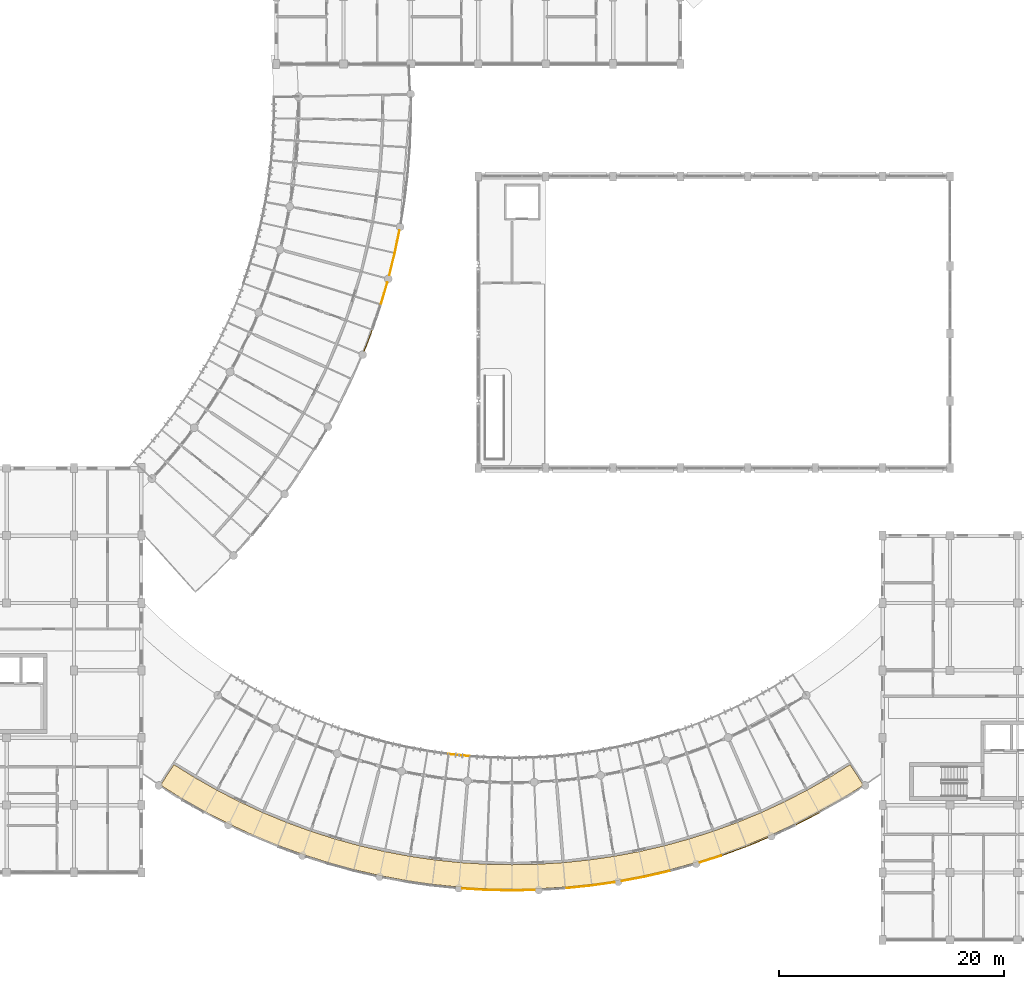
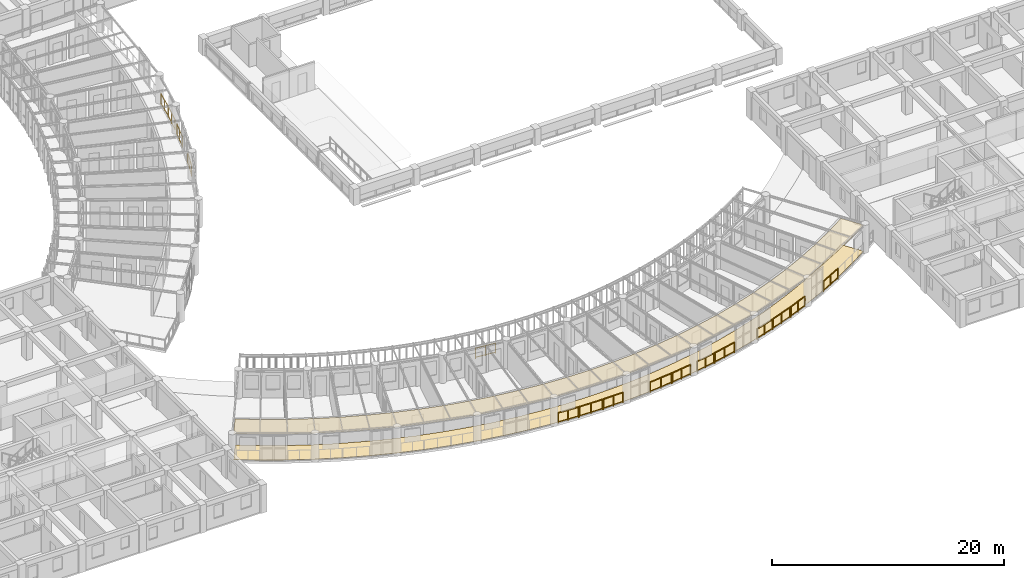
# One storey, part 125 of 137: 16 railings, 2 coverings.
"""IFC4 building model written with IfcOpenShell, lengths in metres."""

from ifc_helpers import new_model, si_unit, direction, frame, origin, origin_2d, place, context, subcontext, project, spatial, polyline, circle, outline, extrude, material, layer, layer_set, type_object, element, save


model = new_model("IFC4")

# Units and contexts
model_context = context("Model", 3, precision=1e-05, world=origin(), true_north=direction((0.0, 1.0)))
body_context = subcontext(model_context, "Body", "Model", "MODEL_VIEW")
ifc_project = project(units=[si_unit("LENGTHUNIT", "METRE"), si_unit("AREAUNIT", "SQUARE_METRE"), si_unit("VOLUMEUNIT", "CUBIC_METRE"), si_unit("PLANEANGLEUNIT", "RADIAN"), si_unit("MASSUNIT", "GRAM", prefix="KILO"), si_unit("POWERUNIT", "WATT"), si_unit("THERMODYNAMICTEMPERATUREUNIT", "KELVIN")], contexts=[model_context])

# Site, building, storey
site_placement = place(None, origin())
site = spatial("IfcSite", under=ifc_project, at=site_placement, CompositionType="ELEMENT")
building_placement = place(site_placement, origin())
building = spatial("IfcBuilding", under=site, at=building_placement, Name="Ruvembo Vaulted Housing Court", CompositionType="ELEMENT")
storey_placement = place(building_placement, frame((0.0, 0.0, 4.5)))
storey = spatial("IfcBuildingStorey", under=building, at=storey_placement, Name="L01", CompositionType="ELEMENT", Elevation=4.5)

# Coverings
ifc_material_1 = material(Name="Perforated Mineral-Fibre Acoustic Tile", Category="gypsum")
ifc_layer_1 = layer(ifc_material_1, 0.02001953125, Name="Perforated Mineral-Fibre Acoustic Tile")
ifc_layer_set_1 = layer_set([ifc_layer_1], Name="Perforated Mineral-Fibre Acoustic Tile")
covering_type_1 = type_object("IfcCoveringType", Name="COV-CEIL-ACOUST", PredefinedType="CEILING", material=ifc_layer_set_1)
covering_1_placement = place(storey_placement, frame((0.0, 0.0, 2.75)))
element("IfcCovering", 1, at=covering_1_placement, inside=storey, type_object=covering_type_1, Name="Scoop SC2 L01 Shaded Access Gallery Ceiling", PredefinedType="CEILING", context=body_context, shape_type="SweptSolid", body=[
    extrude(outline(polyline([(40.7412109375, 14.453857421875), (40.7373046875, 14.456298828125), (38.895751953125, 15.602783203125), (37.705810546875, 13.7763671875), (39.62548828125, 12.5810546875), (41.6884765625, 11.41162109375), (43.798095703125, 10.328369140625), (45.950439453125, 9.3330078125), (48.14208984375, 8.427001953125), (50.369384765625, 7.612548828125), (52.628173828125, 6.890380859375), (54.9150390625, 6.26220703125), (57.2255859375, 5.728759765625), (59.556396484375, 5.291015625), (61.9033203125, 4.94970703125), (64.26220703125, 4.70556640625), (66.62890625, 4.558837890625), (69.0, 4.510009765625), (71.37109375, 4.558837890625), (73.73779296875, 4.70556640625), (76.0966796875, 4.94970703125), (78.443603515625, 5.291015625), (80.7744140625, 5.728759765625), (83.0849609375, 6.26220703125), (85.371826171875, 6.890380859375), (87.630615234375, 7.612548828125), (89.85791015625, 8.427001953125), (92.049560546875, 9.3330078125), (94.201904296875, 10.328369140625), (96.3115234375, 11.41162109375), (98.37451171875, 12.5810546875), (100.294189453125, 13.7763671875), (99.104248046875, 15.602783203125), (97.2626953125, 14.456298828125), (97.2587890625, 14.453857421875), (95.27783203125, 13.3310546875), (95.27392578125, 13.328857421875), (93.248291015625, 12.288818359375), (93.244384765625, 12.286865234375), (91.177490234375, 11.3310546875), (91.17333984375, 11.3291015625), (89.069091796875, 10.45947265625), (89.064697265625, 10.457763671875), (86.92626953125, 9.675537109375), (86.922119140625, 9.674072265625), (84.753173828125, 8.980712890625), (84.748779296875, 8.9794921875), (82.552978515625, 8.376220703125), (82.548583984375, 8.375244140625), (80.330078125, 7.86279296875), (80.32568359375, 7.862060546875), (78.087646484375, 7.441650390625), (78.083251953125, 7.44091796875), (75.829833984375, 7.11328125), (75.825439453125, 7.11279296875), (73.560546875, 6.87841796875), (73.555908203125, 6.8779296875), (71.283203125, 6.737060546875), (71.27880859375, 6.73681640625), (69.002197265625, 6.68994140625), (68.997802734375, 6.68994140625), (66.72119140625, 6.73681640625), (66.716796875, 6.737060546875), (64.444091796875, 6.8779296875), (64.439453125, 6.87841796875), (62.174560546875, 7.11279296875), (62.170166015625, 7.11328125), (59.916748046875, 7.44091796875), (59.912109375, 7.441650390625), (57.67431640625, 7.862060546875), (57.669921875, 7.86279296875), (55.451416015625, 8.375244140625), (55.447021484375, 8.376220703125), (53.251220703125, 8.9794921875), (53.246826171875, 8.980712890625), (51.077880859375, 9.674072265625), (51.07373046875, 9.675537109375), (48.935302734375, 10.457763671875), (48.930908203125, 10.45947265625), (46.82666015625, 11.3291015625), (46.822509765625, 11.3310546875), (44.755615234375, 12.286865234375), (44.751708984375, 12.288818359375), (42.72607421875, 13.328857421875), (42.72216796875, 13.3310546875), (40.7412109375, 14.453857421875)])), origin(), (0.0, 0.0, 1.0), 0.02001953125),
])
ifc_material_2 = material(Name="Polished Cement-Aggregate Terrazzo", Category="stone")
ifc_layer_2 = layer(ifc_material_2, 0.02197265625, Name="Polished Cement-Aggregate Terrazzo")
ifc_layer_set_2 = layer_set([ifc_layer_2], Name="Polished Cement-Aggregate Terrazzo")
covering_type_2 = type_object("IfcCoveringType", Name="COV-FLR-CERAMIC", PredefinedType="FLOORING", material=ifc_layer_set_2)
covering_2_placement = place(storey_placement, origin())
element("IfcCovering", 2, at=covering_2_placement, inside=storey, type_object=covering_type_2, Name="Scoop SC2 L01 Shaded Access Gallery Flooring", PredefinedType="FLOORING", context=body_context, shape_type="SweptSolid", body=[
    extrude(outline(polyline([(40.7412109375, 14.453857421875), (40.7373046875, 14.456298828125), (38.895751953125, 15.602783203125), (37.705810546875, 13.7763671875), (39.62548828125, 12.5810546875), (41.6884765625, 11.41162109375), (43.798095703125, 10.328369140625), (45.950439453125, 9.3330078125), (48.14208984375, 8.427001953125), (50.369384765625, 7.612548828125), (52.628173828125, 6.890380859375), (54.9150390625, 6.26220703125), (57.2255859375, 5.728759765625), (59.556396484375, 5.291015625), (61.9033203125, 4.94970703125), (64.26220703125, 4.70556640625), (66.62890625, 4.558837890625), (69.0, 4.510009765625), (71.37109375, 4.558837890625), (73.73779296875, 4.70556640625), (76.0966796875, 4.94970703125), (78.443603515625, 5.291015625), (80.7744140625, 5.728759765625), (83.0849609375, 6.26220703125), (85.371826171875, 6.890380859375), (87.630615234375, 7.612548828125), (89.85791015625, 8.427001953125), (92.049560546875, 9.3330078125), (94.201904296875, 10.328369140625), (96.3115234375, 11.41162109375), (98.37451171875, 12.5810546875), (100.294189453125, 13.7763671875), (99.104248046875, 15.602783203125), (97.2626953125, 14.456298828125), (97.2587890625, 14.453857421875), (95.27783203125, 13.3310546875), (95.27392578125, 13.328857421875), (93.248291015625, 12.288818359375), (93.244384765625, 12.286865234375), (91.177490234375, 11.3310546875), (91.17333984375, 11.3291015625), (89.069091796875, 10.45947265625), (89.064697265625, 10.457763671875), (86.92626953125, 9.675537109375), (86.922119140625, 9.674072265625), (84.753173828125, 8.980712890625), (84.748779296875, 8.9794921875), (82.552978515625, 8.376220703125), (82.548583984375, 8.375244140625), (80.330078125, 7.86279296875), (80.32568359375, 7.862060546875), (78.087646484375, 7.441650390625), (78.083251953125, 7.44091796875), (75.829833984375, 7.11328125), (75.825439453125, 7.11279296875), (73.560546875, 6.87841796875), (73.555908203125, 6.8779296875), (71.283203125, 6.737060546875), (71.27880859375, 6.73681640625), (69.002197265625, 6.68994140625), (68.997802734375, 6.68994140625), (66.72119140625, 6.73681640625), (66.716796875, 6.737060546875), (64.444091796875, 6.8779296875), (64.439453125, 6.87841796875), (62.174560546875, 7.11279296875), (62.170166015625, 7.11328125), (59.916748046875, 7.44091796875), (59.912109375, 7.441650390625), (57.67431640625, 7.862060546875), (57.669921875, 7.86279296875), (55.451416015625, 8.375244140625), (55.447021484375, 8.376220703125), (53.251220703125, 8.9794921875), (53.246826171875, 8.980712890625), (51.077880859375, 9.674072265625), (51.07373046875, 9.675537109375), (48.935302734375, 10.457763671875), (48.930908203125, 10.45947265625), (46.82666015625, 11.3291015625), (46.822509765625, 11.3310546875), (44.755615234375, 12.286865234375), (44.751708984375, 12.288818359375), (42.72607421875, 13.328857421875), (42.72216796875, 13.3310546875), (40.7412109375, 14.453857421875)])), origin(), (0.0, 0.0, 1.0), 0.02197265625),
])

# Railings
ifc_material_3 = material(Name="Galvanised Painted Steel and Laminated Glass", Category="steel")
ifc_layer_3 = layer(ifc_material_3, 0.070068359375, Name="Galvanised Painted Steel and Laminated Glass")
ifc_layer_set_3 = layer_set([ifc_layer_3], Name="Galvanised Painted Steel and Laminated Glass")
railing_type_1 = type_object("IfcRailingType", Name="RL-BALUST-1120", PredefinedType="BALUSTRADE", material=ifc_layer_set_3)
railing_1_placement = place(storey_placement, frame((55.8359375, 52.4365234375, 0.0)))
element("IfcRailing", 3, at=railing_1_placement, inside=storey, type_object=railing_type_1, Name="L01 Perimeter Guard RL-EXT-L01-0044", PredefinedType="BALUSTRADE", context=body_context, shape_type="SweptSolid", body=[
    extrude(circle(Radius=0.02392578125, at=origin_2d()), frame((0.0, 0.0, 1.09619140625), z_axis=(0.358341639879, 0.933590525407, 0.0), x_axis=(-0.933590525407, 0.358341639879, 0.0)), (0.0, 0.0, 1.0), 1.9765625),
    extrude(circle(Radius=0.01806640625, at=origin_2d()), frame((0.0, 0.0, 0.1201171875), z_axis=(0.358341639879, 0.933590525407, 0.0), x_axis=(-0.933590525407, 0.358341639879, 0.0)), (0.0, 0.0, 1.0), 1.9765625),
    extrude(circle(Radius=0.02099609375, at=origin_2d()), origin(), (0.0, 0.0, 1.0), 1.072021484375),
    extrude(circle(Radius=0.02099609375, at=origin_2d()), frame((0.35400390625, 0.922607421875, 0.0)), (0.0, 0.0, 1.0), 1.072021484375),
    extrude(circle(Radius=0.02099609375, at=origin_2d()), frame((0.708251953125, 1.84521484375, 0.0)), (0.0, 0.0, 1.0), 1.072021484375),
])
railing_2_placement = place(storey_placement, frame((57.336181640625, 56.628173828125, 0.0)))
element("IfcRailing", 4, at=railing_2_placement, inside=storey, type_object=railing_type_1, Name="L01 Perimeter Guard RL-EXT-L01-0045", PredefinedType="BALUSTRADE", context=body_context, shape_type="SweptSolid", body=[
    extrude(circle(Radius=0.02392578125, at=origin_2d()), frame((0.0, 0.0, 1.09619140625), z_axis=(0.280768323673, 0.959775571903, 0.0), x_axis=(-0.959775571903, 0.280768323673, 0.0)), (0.0, 0.0, 1.0), 1.9765625),
    extrude(circle(Radius=0.01806640625, at=origin_2d()), frame((0.0, 0.0, 0.1201171875), z_axis=(0.280768323673, 0.959775571903, 0.0), x_axis=(-0.959775571903, 0.280768323673, 0.0)), (0.0, 0.0, 1.0), 1.9765625),
    extrude(circle(Radius=0.02099609375, at=origin_2d()), origin(), (0.0, 0.0, 1.0), 1.072021484375),
    extrude(circle(Radius=0.02099609375, at=origin_2d()), frame((0.27734375, 0.948486328125, 0.0)), (0.0, 0.0, 1.0), 1.072021484375),
    extrude(circle(Radius=0.02099609375, at=origin_2d()), frame((0.554931640625, 1.89697265625, 0.0)), (0.0, 0.0, 1.0), 1.072021484375),
])
railing_3_placement = place(storey_placement, frame((58.07373046875, 59.20068359375, 0.0)))
element("IfcRailing", 5, at=railing_3_placement, inside=storey, type_object=railing_type_1, Name="L01 Perimeter Guard RL-EXT-L01-0046", PredefinedType="BALUSTRADE", context=body_context, shape_type="SweptSolid", body=[
    extrude(circle(Radius=0.02392578125, at=origin_2d()), frame((0.0, 0.0, 1.09619140625), z_axis=(0.241227583656, 0.970468573877, 0.0), x_axis=(-0.970468573877, 0.241227583656, 0.0)), (0.0, 0.0, 1.0), 1.9765625),
    extrude(circle(Radius=0.01806640625, at=origin_2d()), frame((0.0, 0.0, 0.1201171875), z_axis=(0.241227583656, 0.970468573877, 0.0), x_axis=(-0.970468573877, 0.241227583656, 0.0)), (0.0, 0.0, 1.0), 1.9765625),
    extrude(circle(Radius=0.02099609375, at=origin_2d()), origin(), (0.0, 0.0, 1.0), 1.072021484375),
    extrude(circle(Radius=0.02099609375, at=origin_2d()), frame((0.23828125, 0.958984375, 0.0)), (0.0, 0.0, 1.0), 1.072021484375),
    extrude(circle(Radius=0.02099609375, at=origin_2d()), frame((0.476806640625, 1.918212890625, 0.0)), (0.0, 0.0, 1.0), 1.072021484375),
])
railing_4_placement = place(storey_placement, frame((58.57275390625, 61.21630859375, 0.0)))
element("IfcRailing", 6, at=railing_4_placement, inside=storey, type_object=railing_type_1, Name="L01 Perimeter Guard RL-EXT-L01-0047", PredefinedType="BALUSTRADE", context=body_context, shape_type="SweptSolid", body=[
    extrude(circle(Radius=0.02392578125, at=origin_2d()), frame((0.0, 0.0, 1.09619140625), z_axis=(0.201196376215, 0.979550926802, 0.0), x_axis=(-0.979550926802, 0.201196376215, 0.0)), (0.0, 0.0, 1.0), 1.976806640625),
    extrude(circle(Radius=0.01806640625, at=origin_2d()), frame((0.0, 0.0, 0.1201171875), z_axis=(0.201196376215, 0.979550926802, 0.0), x_axis=(-0.979550926802, 0.201196376215, 0.0)), (0.0, 0.0, 1.0), 1.976806640625),
    extrude(circle(Radius=0.02099609375, at=origin_2d()), origin(), (0.0, 0.0, 1.0), 1.072021484375),
    extrude(circle(Radius=0.02099609375, at=origin_2d()), frame((0.19873046875, 0.96826171875, 0.0)), (0.0, 0.0, 1.0), 1.072021484375),
    extrude(circle(Radius=0.02099609375, at=origin_2d()), frame((0.397705078125, 1.936279296875, 0.0)), (0.0, 0.0, 1.0), 1.072021484375),
])
railing_5_placement = place(storey_placement, frame((64.602294921875, 4.57421875, 0.0)))
element("IfcRailing", 7, at=railing_5_placement, inside=storey, type_object=railing_type_1, Name="L01 Perimeter Guard RL-EXT-L01-0275", PredefinedType="BALUSTRADE", context=body_context, shape_type="SweptSolid", body=[
    extrude(circle(Radius=0.02392578125, at=origin_2d()), frame((0.0, 0.0, 1.09619140625), z_axis=(0.998090369265, -0.061770662784, 0.0), x_axis=(0.061770662784, 0.998090369265, 0.0)), (0.0, 0.0, 1.0), 1.97607421875),
    extrude(circle(Radius=0.01806640625, at=origin_2d()), frame((0.0, 0.0, 0.1201171875), z_axis=(0.998090369265, -0.061770662784, 0.0), x_axis=(0.061770662784, 0.998090369265, 0.0)), (0.0, 0.0, 1.0), 1.97607421875),
    extrude(circle(Radius=0.02099609375, at=origin_2d()), origin(), (0.0, 0.0, 1.0), 1.072021484375),
    extrude(circle(Radius=0.02099609375, at=origin_2d()), frame((0.986328125, -0.06103515625, 0.0)), (0.0, 0.0, 1.0), 1.072021484375),
    extrude(circle(Radius=0.02099609375, at=origin_2d()), frame((1.972412109375, -0.1220703125, 0.0)), (0.0, 0.0, 1.0), 1.072021484375),
])
railing_6_placement = place(storey_placement, frame((66.674560546875, 4.447998046875, 0.0)))
element("IfcRailing", 8, at=railing_6_placement, inside=storey, type_object=railing_type_1, Name="L01 Perimeter Guard RL-EXT-L01-0276", PredefinedType="BALUSTRADE", context=body_context, shape_type="SweptSolid", body=[
    extrude(circle(Radius=0.02392578125, at=origin_2d()), frame((0.0, 0.0, 1.09619140625), z_axis=(0.999785655104, -0.020703715819, 0.0), x_axis=(0.020703715819, 0.999785655104, 0.0)), (0.0, 0.0, 1.0), 2.27587890625),
    extrude(circle(Radius=0.01806640625, at=origin_2d()), frame((0.0, 0.0, 0.1201171875), z_axis=(0.999785655104, -0.020703715819, 0.0), x_axis=(0.020703715819, 0.999785655104, 0.0)), (0.0, 0.0, 1.0), 2.27587890625),
    extrude(circle(Radius=0.02099609375, at=origin_2d()), origin(), (0.0, 0.0, 1.0), 1.072021484375),
    extrude(circle(Radius=0.02099609375, at=origin_2d()), frame((1.1376953125, -0.0234375, 0.0)), (0.0, 0.0, 1.0), 1.072021484375),
    extrude(circle(Radius=0.02099609375, at=origin_2d()), frame((2.275390625, -0.047119140625, 0.0)), (0.0, 0.0, 1.0), 1.072021484375),
])
railing_7_placement = place(storey_placement, frame((69.050048828125, 4.40087890625, 0.0)))
element("IfcRailing", 9, at=railing_7_placement, inside=storey, type_object=railing_type_1, Name="L01 Perimeter Guard RL-EXT-L01-0277", PredefinedType="BALUSTRADE", context=body_context, shape_type="SweptSolid", body=[
    extrude(circle(Radius=0.02392578125, at=origin_2d()), frame((0.0, 0.0, 1.09619140625), z_axis=(0.999784554984, 0.020756772768, 0.0), x_axis=(-0.020756772768, 0.999784554984, 0.0)), (0.0, 0.0, 1.0), 1.97607421875),
    extrude(circle(Radius=0.01806640625, at=origin_2d()), frame((0.0, 0.0, 0.1201171875), z_axis=(0.999784554984, 0.020756772768, 0.0), x_axis=(-0.020756772768, 0.999784554984, 0.0)), (0.0, 0.0, 1.0), 1.97607421875),
    extrude(circle(Radius=0.02099609375, at=origin_2d()), origin(), (0.0, 0.0, 1.0), 1.072021484375),
    extrude(circle(Radius=0.02099609375, at=origin_2d()), frame((0.98779296875, 0.0205078125, 0.0)), (0.0, 0.0, 1.0), 1.072021484375),
    extrude(circle(Radius=0.02099609375, at=origin_2d()), frame((1.9755859375, 0.041015625, 0.0)), (0.0, 0.0, 1.0), 1.072021484375),
])
railing_8_placement = place(storey_placement, frame((73.796630859375, 4.60107421875, 0.0)))
element("IfcRailing", 10, at=railing_8_placement, inside=storey, type_object=railing_type_1, Name="L01 Perimeter Guard RL-EXT-L01-0278", PredefinedType="BALUSTRADE", context=body_context, shape_type="SweptSolid", body=[
    extrude(circle(Radius=0.02392578125, at=origin_2d()), frame((0.0, 0.0, 1.09619140625), z_axis=(0.994684977784, 0.102965018188, 0.0), x_axis=(-0.102965018188, 0.994684977784, 0.0)), (0.0, 0.0, 1.0), 2.2763671875),
    extrude(circle(Radius=0.01806640625, at=origin_2d()), frame((0.0, 0.0, 0.1201171875), z_axis=(0.994684977784, 0.102965018188, 0.0), x_axis=(-0.102965018188, 0.994684977784, 0.0)), (0.0, 0.0, 1.0), 2.2763671875),
    extrude(circle(Radius=0.02099609375, at=origin_2d()), origin(), (0.0, 0.0, 1.0), 1.072021484375),
    extrude(circle(Radius=0.02099609375, at=origin_2d()), frame((1.132080078125, 0.1171875, 0.0)), (0.0, 0.0, 1.0), 1.072021484375),
    extrude(circle(Radius=0.02099609375, at=origin_2d()), frame((2.26416015625, 0.234375, 0.0)), (0.0, 0.0, 1.0), 1.072021484375),
])
railing_9_placement = place(storey_placement, frame((76.159912109375, 4.847900390625, 0.0)))
element("IfcRailing", 11, at=railing_9_placement, inside=storey, type_object=railing_type_1, Name="L01 Perimeter Guard RL-EXT-L01-0279", PredefinedType="BALUSTRADE", context=body_context, shape_type="SweptSolid", body=[
    extrude(circle(Radius=0.02392578125, at=origin_2d()), frame((0.0, 0.0, 1.09619140625), z_axis=(0.989603072857, 0.143825443477, 0.0), x_axis=(-0.143825443477, 0.989603072857, 0.0)), (0.0, 0.0, 1.0), 1.975830078125),
    extrude(circle(Radius=0.01806640625, at=origin_2d()), frame((0.0, 0.0, 0.1201171875), z_axis=(0.989603072857, 0.143825443477, 0.0), x_axis=(-0.143825443477, 0.989603072857, 0.0)), (0.0, 0.0, 1.0), 1.975830078125),
    extrude(circle(Radius=0.02099609375, at=origin_2d()), origin(), (0.0, 0.0, 1.0), 1.072021484375),
    extrude(circle(Radius=0.02099609375, at=origin_2d()), frame((0.9775390625, 0.14208984375, 0.0)), (0.0, 0.0, 1.0), 1.072021484375),
    extrude(circle(Radius=0.02099609375, at=origin_2d()), frame((1.955322265625, 0.2841796875, 0.0)), (0.0, 0.0, 1.0), 1.072021484375),
])
railing_10_placement = place(storey_placement, frame((78.8056640625, 5.2470703125, 0.0)))
element("IfcRailing", 12, at=railing_10_placement, inside=storey, type_object=railing_type_1, Name="L01 Perimeter Guard RL-EXT-L01-0280", PredefinedType="BALUSTRADE", context=body_context, shape_type="SweptSolid", body=[
    extrude(circle(Radius=0.02392578125, at=origin_2d()), frame((0.0, 0.0, 1.09619140625), z_axis=(0.982817596647, 0.184579445555, 0.0), x_axis=(-0.184579445555, 0.982817596647, 0.0)), (0.0, 0.0, 1.0), 1.97607421875),
    extrude(circle(Radius=0.01806640625, at=origin_2d()), frame((0.0, 0.0, 0.1201171875), z_axis=(0.982817596647, 0.184579445555, 0.0), x_axis=(-0.184579445555, 0.982817596647, 0.0)), (0.0, 0.0, 1.0), 1.97607421875),
    extrude(circle(Radius=0.02099609375, at=origin_2d()), origin(), (0.0, 0.0, 1.0), 1.072021484375),
    extrude(circle(Radius=0.02099609375, at=origin_2d()), frame((0.97119140625, 0.182373046875, 0.0)), (0.0, 0.0, 1.0), 1.072021484375),
    extrude(circle(Radius=0.02099609375, at=origin_2d()), frame((1.942138671875, 0.36474609375, 0.0)), (0.0, 0.0, 1.0), 1.072021484375),
])
railing_11_placement = place(storey_placement, frame((80.845703125, 5.632080078125, 0.0)))
element("IfcRailing", 13, at=railing_11_placement, inside=storey, type_object=railing_type_1, Name="L01 Perimeter Guard RL-EXT-L01-0281", PredefinedType="BALUSTRADE", context=body_context, shape_type="SweptSolid", body=[
    extrude(circle(Radius=0.02392578125, at=origin_2d()), frame((0.0, 0.0, 1.09619140625), z_axis=(0.974345977393, 0.225055362828, 0.0), x_axis=(-0.225055362828, 0.974345977393, 0.0)), (0.0, 0.0, 1.0), 2.27587890625),
    extrude(circle(Radius=0.01806640625, at=origin_2d()), frame((0.0, 0.0, 0.1201171875), z_axis=(0.974345977393, 0.225055362828, 0.0), x_axis=(-0.225055362828, 0.974345977393, 0.0)), (0.0, 0.0, 1.0), 2.27587890625),
    extrude(circle(Radius=0.02099609375, at=origin_2d()), origin(), (0.0, 0.0, 1.0), 1.072021484375),
    extrude(circle(Radius=0.02099609375, at=origin_2d()), frame((1.10888671875, 0.256103515625, 0.0)), (0.0, 0.0, 1.0), 1.072021484375),
    extrude(circle(Radius=0.02099609375, at=origin_2d()), frame((2.217529296875, 0.51220703125, 0.0)), (0.0, 0.0, 1.0), 1.072021484375),
])
railing_12_placement = place(storey_placement, frame((85.736572265625, 6.8916015625, 0.0)))
element("IfcRailing", 14, at=railing_12_placement, inside=storey, type_object=railing_type_1, Name="L01 Perimeter Guard RL-EXT-L01-0282", PredefinedType="BALUSTRADE", context=body_context, shape_type="SweptSolid", body=[
    extrude(circle(Radius=0.02392578125, at=origin_2d()), frame((0.0, 0.0, 1.09619140625), z_axis=(0.952527388303, 0.304452910206, 0.0), x_axis=(-0.304452910206, 0.952527388303, 0.0)), (0.0, 0.0, 1.0), 1.975830078125),
    extrude(circle(Radius=0.01806640625, at=origin_2d()), frame((0.0, 0.0, 0.1201171875), z_axis=(0.952527388303, 0.304452910206, 0.0), x_axis=(-0.304452910206, 0.952527388303, 0.0)), (0.0, 0.0, 1.0), 1.975830078125),
    extrude(circle(Radius=0.02099609375, at=origin_2d()), origin(), (0.0, 0.0, 1.0), 1.072021484375),
    extrude(circle(Radius=0.02099609375, at=origin_2d()), frame((0.94091796875, 0.30078125, 0.0)), (0.0, 0.0, 1.0), 1.072021484375),
    extrude(circle(Radius=0.02099609375, at=origin_2d()), frame((1.882080078125, 0.6015625, 0.0)), (0.0, 0.0, 1.0), 1.072021484375),
])
railing_13_placement = place(storey_placement, frame((87.71337890625, 7.525634765625, 0.0)))
element("IfcRailing", 15, at=railing_13_placement, inside=storey, type_object=railing_type_1, Name="L01 Perimeter Guard RL-EXT-L01-0283", PredefinedType="BALUSTRADE", context=body_context, shape_type="SweptSolid", body=[
    extrude(circle(Radius=0.02392578125, at=origin_2d()), frame((0.0, 0.0, 1.09619140625), z_axis=(0.939146490209, 0.343516913599, 0.0), x_axis=(-0.343516913599, 0.939146490209, 0.0)), (0.0, 0.0, 1.0), 2.275634765625),
    extrude(circle(Radius=0.01806640625, at=origin_2d()), frame((0.0, 0.0, 0.1201171875), z_axis=(0.939146490209, 0.343516913599, 0.0), x_axis=(-0.343516913599, 0.939146490209, 0.0)), (0.0, 0.0, 1.0), 2.275634765625),
    extrude(circle(Radius=0.02099609375, at=origin_2d()), origin(), (0.0, 0.0, 1.0), 1.072021484375),
    extrude(circle(Radius=0.02099609375, at=origin_2d()), frame((1.068603515625, 0.390869140625, 0.0)), (0.0, 0.0, 1.0), 1.072021484375),
    extrude(circle(Radius=0.02099609375, at=origin_2d()), frame((2.13720703125, 0.78173828125, 0.0)), (0.0, 0.0, 1.0), 1.072021484375),
])
railing_14_placement = place(storey_placement, frame((89.94384765625, 8.34375, 0.0)))
element("IfcRailing", 16, at=railing_14_placement, inside=storey, type_object=railing_type_1, Name="L01 Perimeter Guard RL-EXT-L01-0284", PredefinedType="BALUSTRADE", context=body_context, shape_type="SweptSolid", body=[
    extrude(circle(Radius=0.02392578125, at=origin_2d()), frame((0.0, 0.0, 1.09619140625), z_axis=(0.924198862924, 0.381911588944, 0.0), x_axis=(-0.381911588944, 0.924198862924, 0.0)), (0.0, 0.0, 1.0), 1.975830078125),
    extrude(circle(Radius=0.01806640625, at=origin_2d()), frame((0.0, 0.0, 0.1201171875), z_axis=(0.924198862924, 0.381911588944, 0.0), x_axis=(-0.381911588944, 0.924198862924, 0.0)), (0.0, 0.0, 1.0), 1.975830078125),
    extrude(circle(Radius=0.02099609375, at=origin_2d()), origin(), (0.0, 0.0, 1.0), 1.072021484375),
    extrude(circle(Radius=0.02099609375, at=origin_2d()), frame((0.9130859375, 0.37744140625, 0.0)), (0.0, 0.0, 1.0), 1.072021484375),
    extrude(circle(Radius=0.02099609375, at=origin_2d()), frame((1.826171875, 0.754638671875, 0.0)), (0.0, 0.0, 1.0), 1.072021484375),
])
railing_15_placement = place(storey_placement, frame((94.294677734375, 10.252197265625, 0.0)))
element("IfcRailing", 17, at=railing_15_placement, inside=storey, type_object=railing_type_1, Name="L01 Perimeter Guard RL-EXT-L01-0285", PredefinedType="BALUSTRADE", context=body_context, shape_type="SweptSolid", body=[
    extrude(circle(Radius=0.02392578125, at=origin_2d()), frame((0.0, 0.0, 1.09619140625), z_axis=(0.889548168518, 0.456841390295, 0.0), x_axis=(-0.456841390295, 0.889548168518, 0.0)), (0.0, 0.0, 1.0), 2.276123046875),
    extrude(circle(Radius=0.01806640625, at=origin_2d()), frame((0.0, 0.0, 0.1201171875), z_axis=(0.889548168518, 0.456841390295, 0.0), x_axis=(-0.456841390295, 0.889548168518, 0.0)), (0.0, 0.0, 1.0), 2.276123046875),
    extrude(circle(Radius=0.02099609375, at=origin_2d()), origin(), (0.0, 0.0, 1.0), 1.072021484375),
    extrude(circle(Radius=0.02099609375, at=origin_2d()), frame((1.01220703125, 0.52001953125, 0.0)), (0.0, 0.0, 1.0), 1.072021484375),
    extrude(circle(Radius=0.02099609375, at=origin_2d()), frame((2.024658203125, 1.039794921875, 0.0)), (0.0, 0.0, 1.0), 1.072021484375),
])
ifc_material_4 = material(Name="Galvanised Painted Steel S275", Category="steel")
ifc_layer_4 = layer(ifc_material_4, 0.06005859375, Name="Galvanised Painted Steel S275")
ifc_layer_set_4 = layer_set([ifc_layer_4], Name="Galvanised Painted Steel S275")
railing_type_2 = type_object("IfcRailingType", Name="RL-GUARD-1100", PredefinedType="GUARDRAIL", material=ifc_layer_set_4)
railing_16_placement = place(storey_placement, frame((63.34619140625, 16.55029296875, 0.0)))
element("IfcRailing", 18, at=railing_16_placement, inside=storey, type_object=railing_type_2, Name="L01 Perimeter Guard RL-EXT-L01-0248", PredefinedType="GUARDRAIL", context=body_context, shape_type="SweptSolid", body=[
    extrude(circle(Radius=0.02392578125, at=origin_2d()), frame((0.0, 0.0, 1.076171875), z_axis=(0.994683125416, -0.10298291127, 0.0), x_axis=(0.10298291127, 0.994683125416, 0.0)), (0.0, 0.0, 1.0), 1.889404296875),
    extrude(circle(Radius=0.01806640625, at=origin_2d()), frame((0.0, 0.0, 0.1201171875), z_axis=(0.994683125416, -0.10298291127, 0.0), x_axis=(0.10298291127, 0.994683125416, 0.0)), (0.0, 0.0, 1.0), 1.889404296875),
    extrude(circle(Radius=0.02099609375, at=origin_2d()), origin(), (0.0, 0.0, 1.0), 1.052001953125),
    extrude(circle(Radius=0.02099609375, at=origin_2d()), frame((0.939697265625, -0.09716796875, 0.0)), (0.0, 0.0, 1.0), 1.052001953125),
    extrude(circle(Radius=0.02099609375, at=origin_2d()), frame((1.87939453125, -0.194580078125, 0.0)), (0.0, 0.0, 1.0), 1.052001953125),
])

save(model, "model.ifc")
